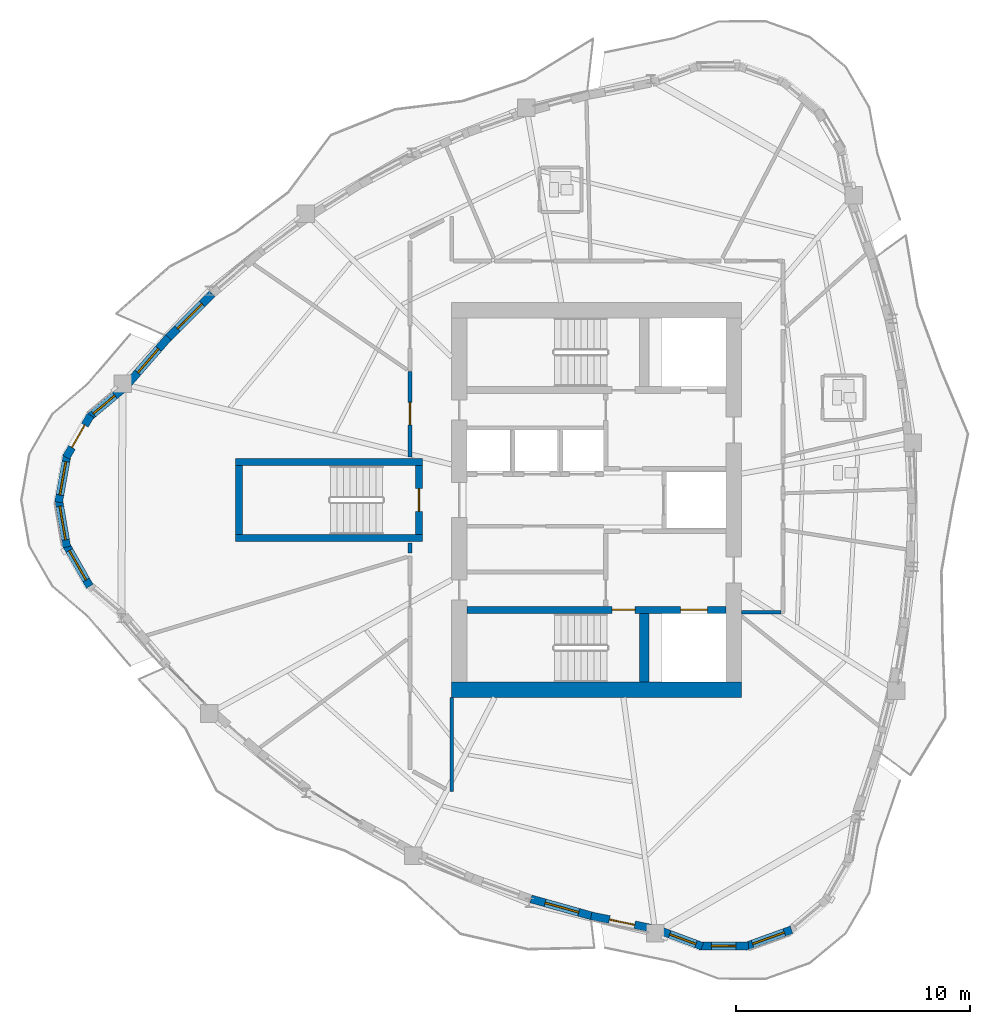
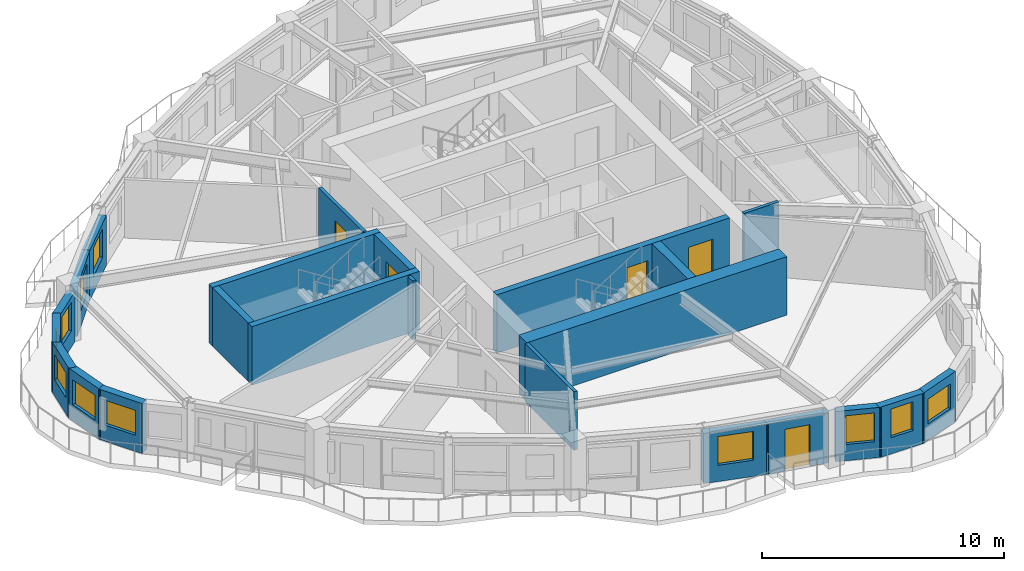
# One storey, part 5 of 13: 23 walls, 10 windows, 6 doors, 16 openings.
"""IFC4 building model written with IfcOpenShell, lengths in metres."""

import ifcopenshell
import ifcopenshell.guid

model = None  # the IFC model being written
_history = None  # IfcOwnerHistory: only IFC2X3 demands one
_inside = {}  # id of a spatial element -> (the spatial element, [elements in it])
_under = {}  # id of a project, library or spatial element -> (it, [spatial elements below it])
_declared = {}  # id of a project -> (the project, [libraries it declares])
_typed = {}  # id of a type object -> (the type object, [elements of that type])
_made_of = {}  # id of a material, layer set ... -> (it, [elements and type objects made of it])


def new_model(schema):
    """Start an empty IFC model of exactly this schema.

    Asked for "IFC4X3", IfcOpenShell would pick the latest addendum, in which some entities
    have other attributes; the version numbers below select the first issue.
    IFC2X3 requires an IfcOwnerHistory on every rooted entity: one is made here for all.
    """
    global model, _history
    if schema == "IFC4X3":
        model = ifcopenshell.file(schema_version=(4, 3, 0, 0))
    else:
        model = ifcopenshell.file(schema=schema)
    _inside.clear()
    _under.clear()
    _declared.clear()
    _typed.clear()
    _made_of.clear()
    _history = None
    if model.schema == "IFC2X3":
        org = make("IfcOrganization", Name="unknown")
        user = make(
            "IfcPersonAndOrganization",
            ThePerson=make("IfcPerson", FamilyName="unknown"),
            TheOrganization=org,
        )
        app = make(
            "IfcApplication",
            ApplicationDeveloper=org,
            Version="unknown",
            ApplicationFullName="unknown",
            ApplicationIdentifier="unknown",
        )
        _history = make(
            "IfcOwnerHistory",
            OwningUser=user,
            OwningApplication=app,
            ChangeAction="ADDED",
            CreationDate=0,
        )
    return model


def make(cls, **values):
    """One entity of the class cls with the attributes given. An attribute that is None is left unset."""
    return model.create_entity(
        cls, **{name: value for name, value in values.items() if value is not None}
    )


def rooted(cls, **values):
    """An entity with a GlobalId (a new one), such as an element, a storey or a relation."""
    return make(cls, GlobalId=ifcopenshell.guid.new(), OwnerHistory=_history, **values)


def si_unit(unit_type, name, prefix=None):
    """IfcSIUnit, for example si_unit("LENGTHUNIT", "METRE", prefix="MILLI")."""
    return make("IfcSIUnit", UnitType=unit_type, Prefix=prefix, Name=name)


def assignment(units):
    """IfcUnitAssignment: the units of a project."""
    return None if units is None else make("IfcUnitAssignment", Units=units)


def point(xyz):
    """IfcCartesianPoint."""
    return None if xyz is None else make("IfcCartesianPoint", Coordinates=xyz)


def direction(xyz):
    """IfcDirection."""
    return None if xyz is None else make("IfcDirection", DirectionRatios=xyz)


def frame(location, z_axis=None, x_axis=None):
    """IfcAxis2Placement3D, a coordinate frame: its origin and axes. An axis left out is left unset."""
    return make(
        "IfcAxis2Placement3D",
        Location=point(location),
        Axis=direction(z_axis),
        RefDirection=direction(x_axis),
    )


def frame_2d(location, x_axis=None):
    """IfcAxis2Placement2D, a coordinate frame in the plane: its origin and x axis."""
    return make(
        "IfcAxis2Placement2D", Location=point(location), RefDirection=direction(x_axis)
    )


def origin():
    """The frame at (0, 0, 0) with its axes left unset."""
    return frame((0.0, 0.0, 0.0))


def place(relative_to, where):
    """IfcLocalPlacement: puts the frame where relative to a parent placement (None: the world)."""
    return make(
        "IfcLocalPlacement", PlacementRelTo=relative_to, RelativePlacement=where
    )


def context(
    kind, dimensions, precision=None, world=None, true_north=None, identifier=None
):
    """IfcGeometricRepresentationContext, for example the 3D "Model" context."""
    return make(
        "IfcGeometricRepresentationContext",
        ContextIdentifier=identifier,
        ContextType=kind,
        CoordinateSpaceDimension=dimensions,
        Precision=precision,
        WorldCoordinateSystem=world,
        TrueNorth=true_north,
    )


def subcontext(parent, identifier, kind, view, scale=None):
    """IfcGeometricRepresentationSubContext, for example "Body" below "Model"."""
    return make(
        "IfcGeometricRepresentationSubContext",
        ContextIdentifier=identifier,
        ContextType=kind,
        ParentContext=parent,
        TargetScale=scale,
        TargetView=view,
    )


def project(units=None, contexts=None):
    """IfcProject with its units and contexts."""
    return rooted(
        "IfcProject",
        Name="project",
        RepresentationContexts=contexts,
        UnitsInContext=assignment(units),
    )


def spatial(cls, under=None, at=None, **own):
    """A site, building, storey or space (cls), placed at a placement, below another one or the project."""
    s = rooted(cls, ObjectPlacement=at, **own)
    if under is not None:
        _under.setdefault(under.id(), (under, []))[1].append(s)
    return s


def profile(cls, at=None, kind="AREA", **sizes):
    """A parametric profile (cls). Its sizes go by their IFC names, for example OverallWidth=200.0."""
    return make(cls, ProfileType=kind, Position=at, **sizes)


def rectangle(**sizes):
    """IfcRectangleProfileDef."""
    return profile("IfcRectangleProfileDef", **sizes)


def extrude(swept, where, along, depth):
    """IfcExtrudedAreaSolid: the profile swept, set in the frame where, extruded along a direction by depth."""
    return make(
        "IfcExtrudedAreaSolid",
        SweptArea=swept,
        Position=where,
        ExtrudedDirection=direction(along),
        Depth=depth,
    )


def shape(context_of_items, identifier, shape_type, items):
    """IfcShapeRepresentation: the items that make up one representation, for example the "Body"."""
    return make(
        "IfcShapeRepresentation",
        ContextOfItems=context_of_items,
        RepresentationIdentifier=identifier,
        RepresentationType=shape_type,
        Items=items,
    )


def source(mapping_origin, context_of_items, identifier, shape_type, items):
    """IfcRepresentationMap: a shape defined once, which mapped items show again and again."""
    return make(
        "IfcRepresentationMap",
        MappingOrigin=mapping_origin,
        MappedRepresentation=shape(context_of_items, identifier, shape_type, items),
    )


def transform(
    local_origin,
    x_axis=None,
    y_axis=None,
    z_axis=None,
    scale=None,
    scale2=None,
    scale3=None,
    uniform=True,
):
    """IfcCartesianTransformationOperator3D, or its non-uniform kind. x_axis, y_axis, z_axis: its Axis1, 2, 3."""
    if uniform:
        return make(
            "IfcCartesianTransformationOperator3D",
            Axis1=direction(x_axis),
            Axis2=direction(y_axis),
            LocalOrigin=point(local_origin),
            Scale=scale,
            Axis3=direction(z_axis),
        )
    return make(
        "IfcCartesianTransformationOperator3DnonUniform",
        Axis1=direction(x_axis),
        Axis2=direction(y_axis),
        LocalOrigin=point(local_origin),
        Scale=scale,
        Axis3=direction(z_axis),
        Scale2=scale2,
        Scale3=scale3,
    )


def mapped(mapping_source, mapping_target):
    """IfcMappedItem: shows the shape of a source again, moved by a transform."""
    return make(
        "IfcMappedItem", MappingSource=mapping_source, MappingTarget=mapping_target
    )


def material(Name=None, Category=None):
    """IfcMaterial."""
    return make("IfcMaterial", Name=Name, Category=Category)


def layer(
    of_material, thickness, ventilated=None, Name=None, Category=None, Priority=None
):
    """IfcMaterialLayer: one layer of a wall or slab, of a material (None: an air gap)."""
    return make(
        "IfcMaterialLayer",
        Material=of_material,
        LayerThickness=thickness,
        IsVentilated=ventilated,
        Name=Name,
        Category=Category,
        Priority=Priority,
    )


def layer_set(layers, Name=None):
    """IfcMaterialLayerSet."""
    return make("IfcMaterialLayerSet", MaterialLayers=layers, LayerSetName=Name)


def made_of(thing, what):
    """Note that an element or type object is made of a material, layer set ...; save() writes the relation."""
    if what is not None:
        _made_of.setdefault(what.id(), (what, []))[1].append(thing)
    return thing


def type_object(cls, material=None, **own):
    """A type object (cls), such as IfcWallType, which elements share."""
    return made_of(rooted(cls, **own), material)


def element(
    cls,
    number,
    at=None,
    inside=None,
    cuts=None,
    type_object=None,
    material=None,
    context=None,
    identifier="Body",
    shape_type=None,
    held_by="IfcProductDefinitionShape",
    body=None,
    shapes=None,
    **own,
):
    """One element of the class cls, such as IfcWall. Its Tag is "e" and its number.

    at: its placement. inside: the storey or other place that contains it. cuts: it is an
    opening in that element (IfcRelVoidsElement). A single representation is given by context,
    identifier, shape_type and body (its items); several are given by shapes. held_by: the class
    of the entity that holds the representations. save() writes the other relations.
    """
    e = rooted(cls, Tag="e%d" % number, ObjectPlacement=at, **own)
    if body is not None:
        shapes = [shape(context, identifier, shape_type, body)]
    if shapes is not None:
        e.Representation = make(held_by, Representations=shapes)
    if inside is not None:
        _inside.setdefault(inside.id(), (inside, []))[1].append(e)
    if cuts is not None:
        rooted(
            "IfcRelVoidsElement", RelatingBuildingElement=cuts, RelatedOpeningElement=e
        )
    if type_object is not None:
        _typed.setdefault(type_object.id(), (type_object, []))[1].append(e)
    return made_of(e, material)


def fill(opening, filler):
    """IfcRelFillsElement: the door or window that sits in an opening."""
    return rooted(
        "IfcRelFillsElement",
        RelatingOpeningElement=opening,
        RelatedBuildingElement=filler,
    )


def aggregate(whole, parts):
    """IfcRelAggregates: a whole, such as a stair, and the parts it consists of."""
    return rooted("IfcRelAggregates", RelatingObject=whole, RelatedObjects=parts)


def save(model, path):
    """Write the relations noted so far, then the file.

    IfcRelAggregates (storeys below a building ...), IfcRelContainedInSpatialStructure (elements
    in a storey), IfcRelDefinesByType, IfcRelAssociatesMaterial and IfcRelDeclares: one each for
    every whole, place, type object, material and project.
    """
    for whole, parts in _under.values():
        aggregate(whole, parts)
    for where, things in _inside.values():
        rooted(
            "IfcRelContainedInSpatialStructure",
            RelatedElements=things,
            RelatingStructure=where,
        )
    for kind, things in _typed.values():
        rooted("IfcRelDefinesByType", RelatedObjects=things, RelatingType=kind)
    for what, things in _made_of.values():
        rooted("IfcRelAssociatesMaterial", RelatedObjects=things, RelatingMaterial=what)
    for by, libraries in _declared.values():
        rooted("IfcRelDeclares", RelatingContext=by, RelatedDefinitions=libraries)
    model.write(path)


model = new_model("IFC4")

# Units and contexts
model_context = context("Model", 3, precision=1e-05, world=origin(), true_north=direction((0.0, 1.0)))
body_context = subcontext(model_context, "Body", "Model", "MODEL_VIEW")
ifc_project = project(units=[si_unit("LENGTHUNIT", "METRE"), si_unit("AREAUNIT", "SQUARE_METRE"), si_unit("VOLUMEUNIT", "CUBIC_METRE"), si_unit("PLANEANGLEUNIT", "RADIAN"), si_unit("MASSUNIT", "GRAM", prefix="KILO")], contexts=[model_context])

# Site, building, storey
site_placement = place(None, origin())
site = spatial("IfcSite", under=ifc_project, at=site_placement, CompositionType="ELEMENT")
building_placement = place(site_placement, origin())
building = spatial("IfcBuilding", under=site, at=building_placement, Name="Qafzar Sky-Pleat Residences", CompositionType="ELEMENT")
storey_placement = place(building_placement, frame((0.0, 0.0, 133.0)))
storey = spatial("IfcBuildingStorey", under=building, at=storey_placement, Name="L39", CompositionType="ELEMENT", Elevation=133.0)

# Wall, opening, door
ifc_material_1 = material(Name="Acoustic gypsum plasterboard partition", Category="gypsum")
ifc_layer_1 = layer(ifc_material_1, 0.159912109375)
ifc_layer_set_1 = layer_set([ifc_layer_1], Name="Acoustic gypsum plasterboard partition")
wall_type_1 = type_object("IfcWallType", Name="PART-COR-160", PredefinedType="PARTITIONING", material=ifc_layer_set_1)
wall_1_placement = place(storey_placement, frame((22.3701171875, 27.85009765625, 0.0), z_axis=(0.0, 0.0, 1.0), x_axis=(0.0, 1.0, 0.0)))
wall_1 = element("IfcWall", 1, at=wall_1_placement, inside=storey, type_object=wall_type_1, Name="L39 Partition Wall PART-L39-PW-005", PredefinedType="PARTITIONING", context=body_context, shape_type="SweptSolid", body=[
    extrude(rectangle(XDim=3.657958984375, YDim=0.159912109375, at=frame_2d((1.8291015625, 0.0))), origin(), (0.0, 0.0, 1.0), 2.949951171875),
])
opening_1_placement = place(wall_1_placement, frame((1.368896484375, 0.0, 0.0)))
opening_1 = element("IfcOpeningElement", 2, at=opening_1_placement, cuts=wall_1, Name="Opening ID-06", PredefinedType="OPENING", context=body_context, shape_type="SweptSolid", body=[
    extrude(rectangle(XDim=0.9599609375, YDim=2.10009765625, at=frame_2d((0.47998046875, 1.050048828125))), frame((0.0, 0.08984375, 0.0), z_axis=(0.0, -1.0, 0.0), x_axis=(1.0, 0.0, 0.0)), (0.0, 0.0, 1.0), 0.179931640625),
])
ifc_material_2 = material(Name="Timber-faced fire door", Category="wood")
door_type_1 = type_object("IfcDoorType", Name="DR-STD-960", OperationType="NOTDEFINED", PredefinedType="DOOR", material=ifc_material_2)
shared_shape_1 = source(origin(), body_context, "Body", "SweptSolid", [
    extrude(rectangle(XDim=0.9599609375, YDim=2.10009765625, at=frame_2d((0.47998046875, 1.050048828125))), frame((0.0, 0.02490234375, 0.0), z_axis=(0.0, -1.0, 0.0), x_axis=(1.0, 0.0, 0.0)), (0.0, 0.0, 1.0), 0.050048828125),
])
door_1_placement = place(opening_1_placement, origin())
door_1 = element("IfcDoor", 3, at=door_1_placement, inside=storey, type_object=door_type_1, Name="L39 Faculty Research Office Door", OperationType="SINGLE_SWING_LEFT", OverallHeight=2.10009765625, OverallWidth=0.9599609375, PredefinedType="DOOR", context=body_context, shape_type="MappedRepresentation", body=[
    mapped(shared_shape_1, transform((0.0, 0.0, 0.0), x_axis=(1.0, 0.0, 0.0), y_axis=(0.0, 1.0, 0.0), z_axis=(0.0, 0.0, 1.0), scale=1.0)),
])
fill(opening_1, door_1)

# Walls
wall_2_placement = place(storey_placement, frame((24.14990234375, 13.51611328125, 0.0), z_axis=(0.0, 0.0, 1.0), x_axis=(0.0, 1.0, 0.0)))
element("IfcWall", 4, at=wall_2_placement, inside=storey, type_object=wall_type_1, Name="L39 Partition Wall PART-L39-PW-025", PredefinedType="PARTITIONING", context=body_context, shape_type="SweptSolid", body=[
    extrude(rectangle(XDim=4.02587890625, YDim=0.159912109375, at=frame_2d((2.012939453125, 0.0))), origin(), (0.0, 0.0, 1.0), 2.949951171875),
])
wall_3_placement = place(storey_placement, frame((36.55810546875, 21.199951171875, 0.0), z_axis=(0.0, 0.0, 1.0), x_axis=(1.0, 0.0, 0.0)))
element("IfcWall", 5, at=wall_3_placement, inside=storey, type_object=wall_type_1, Name="L39 Partition Wall PART-L39-PW-034", PredefinedType="PARTITIONING", context=body_context, shape_type="SweptSolid", body=[
    extrude(rectangle(XDim=1.683837890625, YDim=0.159912109375, at=frame_2d((0.841796875, 0.0))), origin(), (0.0, 0.0, 1.0), 2.949951171875),
])
wall_4_placement = place(storey_placement, frame((22.3701171875, 23.73583984375, 0.0), z_axis=(0.0, 0.0, 1.0), x_axis=(0.0, 1.0, 0.0)))
element("IfcWall", 6, at=wall_4_placement, inside=storey, type_object=wall_type_1, Name="L39 Partition Wall PART-L39-PW-042", PredefinedType="PARTITIONING", context=body_context, shape_type="SweptSolid", body=[
    extrude(rectangle(XDim=0.4140625, YDim=0.159912109375, at=frame_2d((0.20703125, 0.0))), origin(), (0.0, 0.0, 1.0), 2.949951171875),
])

# Wall, opening, window
ifc_material_3 = material(Name="Precast concrete C40/50 with honed Riyadh limestone", Category="concrete")
ifc_layer_2 = layer(ifc_material_3, 0.340087890625)
ifc_layer_set_2 = layer_set([ifc_layer_2], Name="Precast concrete C40/50 with honed Riyadh limestone")
wall_type_2 = type_object("IfcWallType", Name="WALL-EXT-340", PredefinedType="SOLIDWALL", material=ifc_layer_set_2)
wall_5_placement = place(storey_placement, frame((10.054443359375, 30.73779296875, 0.0), z_axis=(0.0, 0.0, 1.0), x_axis=(-0.76655488318, -0.642178799925, 0.0)))
wall_5 = element("IfcWall", 7, at=wall_5_placement, inside=storey, type_object=wall_type_2, Name="L39 Limestone Facade Wall 1", PredefinedType="SOLIDWALL", context=body_context, shape_type="SweptSolid", body=[
    extrude(rectangle(XDim=1.888427734375, YDim=0.340087890625, at=frame_2d((0.9443359375, 0.0))), origin(), (0.0, 0.0, 1.0), 2.530029296875),
])
opening_2_placement = place(wall_5_placement, frame((0.419189453125, 0.0, 0.820068359375)))
opening_2 = element("IfcOpeningElement", 8, at=opening_2_placement, cuts=wall_5, Name="Opening WN-05", PredefinedType="OPENING", context=body_context, shape_type="SweptSolid", body=[
    extrude(rectangle(XDim=1.199951171875, YDim=1.449951171875, at=frame_2d((0.60009765625, 0.72509765625))), frame((0.0, 0.18017578125, 0.0), z_axis=(0.0, -1.0, 0.0), x_axis=(1.0, 0.0, 0.0)), (0.0, 0.0, 1.0), 0.360107421875),
])
ifc_material_4 = material(Name="Solar-control low-E glass in bronze aluminium frame", Category="glass")
window_type_1 = type_object("IfcWindowType", Name="WIN-05", PartitioningType="SINGLE_PANEL", PredefinedType="WINDOW", material=ifc_material_4)
shared_shape_2 = source(origin(), body_context, "Body", "SweptSolid", [
    extrude(rectangle(XDim=1.199951171875, YDim=1.449951171875, at=frame_2d((0.60009765625, 0.72509765625))), frame((0.0, 0.030029296875, 0.0), z_axis=(0.0, -1.0, 0.0), x_axis=(1.0, 0.0, 0.0)), (0.0, 0.0, 1.0), 0.06005859375),
])
window_1_placement = place(opening_2_placement, origin())
window_1 = element("IfcWindow", 9, at=window_1_placement, inside=storey, type_object=window_type_1, Name="L39 Punched Facade Window 01", OverallHeight=1.449951171875, OverallWidth=1.199951171875, PartitioningType="SINGLE_PANEL", PredefinedType="WINDOW", context=body_context, shape_type="MappedRepresentation", body=[
    mapped(shared_shape_2, transform((0.0, 0.0, 0.0), x_axis=(1.0, 0.0, 0.0), y_axis=(0.0, 1.0, 0.0), z_axis=(0.0, 0.0, 1.0), scale=1.0)),
])
fill(opening_2, window_1)

# Wall, opening, door
wall_6_placement = place(storey_placement, frame((8.693115234375, 29.62744140625, 0.0), z_axis=(0.0, 0.0, 1.0), x_axis=(-0.502090235641, -0.864815237651, 0.0)))
wall_6 = element("IfcWall", 10, at=wall_6_placement, inside=storey, type_object=wall_type_2, Name="L39 Limestone Facade Wall 2", PredefinedType="SOLIDWALL", context=body_context, shape_type="SweptSolid", body=[
    extrude(rectangle(XDim=2.0810546875, YDim=0.340087890625, at=frame_2d((1.04052734375, 0.0))), origin(), (0.0, 0.0, 1.0), 2.530029296875),
])
opening_3_placement = place(wall_6_placement, frame((0.490478515625, 0.0, 0.0)))
opening_3 = element("IfcOpeningElement", 11, at=opening_3_placement, cuts=wall_6, Name="Opening ED-06", PredefinedType="OPENING", context=body_context, shape_type="SweptSolid", body=[
    extrude(rectangle(XDim=1.10009765625, YDim=2.10009765625, at=frame_2d((0.550048828125, 1.050048828125))), frame((0.0, 0.18017578125, 0.0), z_axis=(0.0, -1.0, 0.0), x_axis=(1.0, 0.0, 0.0)), (0.0, 0.0, 1.0), 0.360107421875),
])
ifc_material_5 = material(Name="Glazed bronze aluminium door", Category="aluminium")
door_type_2 = type_object("IfcDoorType", Name="DR-BAL-1100", OperationType="NOTDEFINED", PredefinedType="DOOR", material=ifc_material_5)
shared_shape_3 = source(origin(), body_context, "Body", "SweptSolid", [
    extrude(rectangle(XDim=1.10009765625, YDim=2.10009765625, at=frame_2d((0.550048828125, 1.050048828125))), frame((0.0, 0.02490234375, 0.0), z_axis=(0.0, -1.0, 0.0), x_axis=(1.0, 0.0, 0.0)), (0.0, 0.0, 1.0), 0.050048828125),
])
door_2_placement = place(opening_3_placement, origin())
door_2 = element("IfcDoor", 12, at=door_2_placement, inside=storey, type_object=door_type_2, Name="L39 Terrace Glazed Door 1", OperationType="SINGLE_SWING_RIGHT", OverallHeight=2.10009765625, OverallWidth=1.10009765625, PredefinedType="DOOR", context=body_context, shape_type="MappedRepresentation", body=[
    mapped(shared_shape_3, transform((0.0, 0.0, 0.0), x_axis=(1.0, 0.0, 0.0), y_axis=(0.0, 1.0, 0.0), z_axis=(0.0, 0.0, 1.0), scale=1.0)),
])
fill(opening_3, door_2)

# Wall, opening, window
wall_7_placement = place(storey_placement, frame((7.6943359375, 27.952880859375, 0.0), z_axis=(0.0, 0.0, 1.0), x_axis=(-0.177605215389, -0.984101817632, 0.0)))
wall_7 = element("IfcWall", 13, at=wall_7_placement, inside=storey, type_object=wall_type_2, Name="L39 Limestone Facade Wall 3", PredefinedType="SOLIDWALL", context=body_context, shape_type="SweptSolid", body=[
    extrude(rectangle(XDim=2.081298828125, YDim=0.340087890625, at=frame_2d((1.04052734375, 0.0))), origin(), (0.0, 0.0, 1.0), 2.530029296875),
])
opening_4_placement = place(wall_7_placement, frame((0.315673828125, 0.0, 0.820068359375)))
opening_4 = element("IfcOpeningElement", 14, at=opening_4_placement, cuts=wall_7, Name="Opening WN-15", PredefinedType="OPENING", context=body_context, shape_type="SweptSolid", body=[
    extrude(rectangle(XDim=1.449951171875, YDim=1.25, at=frame_2d((0.72509765625, 0.625))), frame((0.0, 0.18017578125, 0.0), z_axis=(0.0, -1.0, 0.0), x_axis=(1.0, 0.0, 0.0)), (0.0, 0.0, 1.0), 0.360107421875),
])
window_type_2 = type_object("IfcWindowType", Name="WIN-15", PartitioningType="SINGLE_PANEL", PredefinedType="WINDOW", material=ifc_material_4)
shared_shape_4 = source(origin(), body_context, "Body", "SweptSolid", [
    extrude(rectangle(XDim=1.449951171875, YDim=1.25, at=frame_2d((0.72509765625, 0.625))), frame((0.0, 0.030029296875, 0.0), z_axis=(0.0, -1.0, 0.0), x_axis=(1.0, 0.0, 0.0)), (0.0, 0.0, 1.0), 0.06005859375),
])
window_2_placement = place(opening_4_placement, origin())
window_2 = element("IfcWindow", 15, at=window_2_placement, inside=storey, type_object=window_type_2, Name="L39 Punched Facade Window 03", OverallHeight=1.25, OverallWidth=1.449951171875, PartitioningType="SINGLE_PANEL", PredefinedType="WINDOW", context=body_context, shape_type="MappedRepresentation", body=[
    mapped(shared_shape_4, transform((0.0, 0.0, 0.0), x_axis=(1.0, 0.0, 0.0), y_axis=(0.0, 1.0, 0.0), z_axis=(0.0, 0.0, 1.0), scale=1.0)),
])
fill(opening_4, window_2)

wall_8_placement = place(storey_placement, frame((7.325439453125, 26.03857421875, 0.0), z_axis=(0.0, 0.0, 1.0), x_axis=(0.168107405166, -0.985768685001, 0.0)))
wall_8 = element("IfcWall", 16, at=wall_8_placement, inside=storey, type_object=wall_type_2, Name="L39 Limestone Facade Wall 4", PredefinedType="SOLIDWALL", context=body_context, shape_type="SweptSolid", body=[
    extrude(rectangle(XDim=2.0810546875, YDim=0.340087890625, at=frame_2d((1.04052734375, 0.0))), origin(), (0.0, 0.0, 1.0), 2.530029296875),
])
opening_5_placement = place(wall_8_placement, frame((0.315673828125, 0.0, 0.820068359375)))
opening_5 = element("IfcOpeningElement", 17, at=opening_5_placement, cuts=wall_8, Name="Opening WN-15", PredefinedType="OPENING", context=body_context, shape_type="SweptSolid", body=[
    extrude(rectangle(XDim=1.449951171875, YDim=1.25, at=frame_2d((0.72509765625, 0.625))), frame((0.0, 0.18017578125, 0.0), z_axis=(0.0, -1.0, 0.0), x_axis=(1.0, 0.0, 0.0)), (0.0, 0.0, 1.0), 0.360107421875),
])
window_3_placement = place(opening_5_placement, origin())
window_3 = element("IfcWindow", 18, at=window_3_placement, inside=storey, type_object=window_type_2, Name="L39 Punched Facade Window 04", OverallHeight=1.25, OverallWidth=1.449951171875, PartitioningType="SINGLE_PANEL", PredefinedType="WINDOW", context=body_context, shape_type="MappedRepresentation", body=[
    mapped(shared_shape_4, transform((0.0, 0.0, 0.0), x_axis=(1.0, 0.0, 0.0), y_axis=(0.0, 1.0, 0.0), z_axis=(0.0, 0.0, 1.0), scale=1.0)),
])
fill(opening_5, window_3)

wall_9_placement = place(storey_placement, frame((7.63037109375, 24.11279296875, 0.0), z_axis=(0.0, 0.0, 1.0), x_axis=(0.49374939324, -0.869604241408, 0.0)))
wall_9 = element("IfcWall", 19, at=wall_9_placement, inside=storey, type_object=wall_type_2, Name="L39 Limestone Facade Wall 5", PredefinedType="SOLIDWALL", context=body_context, shape_type="SweptSolid", body=[
    extrude(rectangle(XDim=2.081298828125, YDim=0.340087890625, at=frame_2d((1.04052734375, 0.0))), origin(), (0.0, 0.0, 1.0), 2.530029296875),
])
opening_6_placement = place(wall_9_placement, frame((0.315673828125, 0.0, 0.820068359375)))
opening_6 = element("IfcOpeningElement", 20, at=opening_6_placement, cuts=wall_9, Name="Opening WN-15", PredefinedType="OPENING", context=body_context, shape_type="SweptSolid", body=[
    extrude(rectangle(XDim=1.449951171875, YDim=1.25, at=frame_2d((0.72509765625, 0.625))), frame((0.0, 0.18017578125, 0.0), z_axis=(0.0, -1.0, 0.0), x_axis=(1.0, 0.0, 0.0)), (0.0, 0.0, 1.0), 0.360107421875),
])
window_4_placement = place(opening_6_placement, origin())
window_4 = element("IfcWindow", 21, at=window_4_placement, inside=storey, type_object=window_type_2, Name="L39 Punched Facade Window 05", OverallHeight=1.25, OverallWidth=1.449951171875, PartitioningType="SINGLE_PANEL", PredefinedType="WINDOW", context=body_context, shape_type="MappedRepresentation", body=[
    mapped(shared_shape_4, transform((0.0, 0.0, 0.0), x_axis=(1.0, 0.0, 0.0), y_axis=(0.0, 1.0, 0.0), z_axis=(0.0, 0.0, 1.0), scale=1.0)),
])
fill(opening_6, window_4)

wall_10_placement = place(storey_placement, frame((27.54638671875, 8.925048828125, 0.0), z_axis=(0.0, 0.0, 1.0), x_axis=(0.962897957222, -0.269865751767, 0.0)))
wall_10 = element("IfcWall", 22, at=wall_10_placement, inside=storey, type_object=wall_type_2, Name="L39 Limestone Facade Wall 15", PredefinedType="SOLIDWALL", context=body_context, shape_type="SweptSolid", body=[
    extrude(rectangle(XDim=2.7646484375, YDim=0.340087890625, at=frame_2d((1.38232421875, 0.0))), origin(), (0.0, 0.0, 1.0), 2.530029296875),
])
opening_7_placement = place(wall_10_placement, frame((0.622314453125, 0.0, 0.820068359375)))
opening_7 = element("IfcOpeningElement", 23, at=opening_7_placement, cuts=wall_10, Name="Opening WN-03", PredefinedType="OPENING", context=body_context, shape_type="SweptSolid", body=[
    extrude(rectangle(XDim=1.5, YDim=1.449951171875, at=frame_2d((0.75, 0.72509765625))), frame((0.0, 0.18017578125, 0.0), z_axis=(0.0, -1.0, 0.0), x_axis=(1.0, 0.0, 0.0)), (0.0, 0.0, 1.0), 0.360107421875),
])
window_type_3 = type_object("IfcWindowType", Name="WIN-03", PartitioningType="DOUBLE_PANEL_VERTICAL", PredefinedType="WINDOW", material=ifc_material_4)
shared_shape_5 = source(origin(), body_context, "Body", "SweptSolid", [
    extrude(rectangle(XDim=1.5, YDim=1.449951171875, at=frame_2d((0.75, 0.72509765625))), frame((0.0, 0.030029296875, 0.0), z_axis=(0.0, -1.0, 0.0), x_axis=(1.0, 0.0, 0.0)), (0.0, 0.0, 1.0), 0.06005859375),
])
window_5_placement = place(opening_7_placement, origin())
window_5 = element("IfcWindow", 24, at=window_5_placement, inside=storey, type_object=window_type_3, Name="L39 Punched Facade Window 15", OverallHeight=1.449951171875, OverallWidth=1.5, PartitioningType="SINGLE_PANEL", PredefinedType="WINDOW", context=body_context, shape_type="MappedRepresentation", body=[
    mapped(shared_shape_5, transform((0.0, 0.0, 0.0), x_axis=(1.0, 0.0, 0.0), y_axis=(0.0, 1.0, 0.0), z_axis=(0.0, 0.0, 1.0), scale=1.0)),
])
fill(opening_7, window_5)

# Wall, opening, door
wall_11_placement = place(storey_placement, frame((30.123291015625, 8.19970703125, 0.0), z_axis=(0.0, 0.0, 1.0), x_axis=(0.979331814777, -0.20226021993, 0.0)))
wall_11 = element("IfcWall", 25, at=wall_11_placement, inside=storey, type_object=wall_type_2, Name="L39 Limestone Facade Wall 16", PredefinedType="SOLIDWALL", context=body_context, shape_type="SweptSolid", body=[
    extrude(rectangle(XDim=2.688232421875, YDim=0.340087890625, at=frame_2d((1.34423828125, 0.0))), origin(), (0.0, 0.0, 1.0), 2.530029296875),
])
opening_8_placement = place(wall_11_placement, frame((0.799072265625, 0.0, 0.0)))
opening_8 = element("IfcOpeningElement", 26, at=opening_8_placement, cuts=wall_11, Name="Opening ED-06", PredefinedType="OPENING", context=body_context, shape_type="SweptSolid", body=[
    extrude(rectangle(XDim=1.10009765625, YDim=2.10009765625, at=frame_2d((0.550048828125, 1.050048828125))), frame((0.0, 0.18017578125, 0.0), z_axis=(0.0, -1.0, 0.0), x_axis=(1.0, 0.0, 0.0)), (0.0, 0.0, 1.0), 0.360107421875),
])
door_3_placement = place(opening_8_placement, origin())
door_3 = element("IfcDoor", 27, at=door_3_placement, inside=storey, type_object=door_type_2, Name="L39 Terrace Glazed Door 3", OperationType="SINGLE_SWING_RIGHT", OverallHeight=2.10009765625, OverallWidth=1.10009765625, PredefinedType="DOOR", context=body_context, shape_type="MappedRepresentation", body=[
    mapped(shared_shape_3, transform((0.0, 0.0, 0.0), x_axis=(1.0, 0.0, 0.0), y_axis=(0.0, 1.0, 0.0), z_axis=(0.0, 0.0, 1.0), scale=1.0)),
])
fill(opening_8, door_3)

# Wall, opening, window
wall_12_placement = place(storey_placement, frame((33.077880859375, 7.563232421875, 0.0), z_axis=(0.0, 0.0, 1.0), x_axis=(0.936940595305, -0.349488656282, 0.0)))
wall_12 = element("IfcWall", 28, at=wall_12_placement, inside=storey, type_object=wall_type_2, Name="L39 Limestone Facade Wall 17", PredefinedType="SOLIDWALL", context=body_context, shape_type="SweptSolid", body=[
    extrude(rectangle(XDim=1.91552734375, YDim=0.340087890625, at=frame_2d((0.957763671875, 0.0))), origin(), (0.0, 0.0, 1.0), 2.530029296875),
])
opening_9_placement = place(wall_12_placement, frame((0.432861328125, 0.0, 0.820068359375)))
opening_9 = element("IfcOpeningElement", 29, at=opening_9_placement, cuts=wall_12, Name="Opening WN-05", PredefinedType="OPENING", context=body_context, shape_type="SweptSolid", body=[
    extrude(rectangle(XDim=1.199951171875, YDim=1.449951171875, at=frame_2d((0.60009765625, 0.72509765625))), frame((0.0, 0.18017578125, 0.0), z_axis=(0.0, -1.0, 0.0), x_axis=(1.0, 0.0, 0.0)), (0.0, 0.0, 1.0), 0.360107421875),
])
window_6_placement = place(opening_9_placement, origin())
window_6 = element("IfcWindow", 30, at=window_6_placement, inside=storey, type_object=window_type_1, Name="L39 Punched Facade Window 17", OverallHeight=1.449951171875, OverallWidth=1.199951171875, PartitioningType="SINGLE_PANEL", PredefinedType="WINDOW", context=body_context, shape_type="MappedRepresentation", body=[
    mapped(shared_shape_2, transform((0.0, 0.0, 0.0), x_axis=(1.0, 0.0, 0.0), y_axis=(0.0, 1.0, 0.0), z_axis=(0.0, 0.0, 1.0), scale=1.0)),
])
fill(opening_9, window_6)

wall_13_placement = place(storey_placement, frame((34.740478515625, 6.91796875, 0.0), z_axis=(0.0, 0.0, 1.0), x_axis=(0.9999881768, -0.004862742089, 0.0)))
wall_13 = element("IfcWall", 31, at=wall_13_placement, inside=storey, type_object=wall_type_2, Name="L39 Limestone Facade Wall 18", PredefinedType="SOLIDWALL", context=body_context, shape_type="SweptSolid", body=[
    extrude(rectangle(XDim=2.108642578125, YDim=0.340087890625, at=frame_2d((1.05419921875, 0.0))), origin(), (0.0, 0.0, 1.0), 2.530029296875),
])
opening_10_placement = place(wall_13_placement, frame((0.529296875, 0.0, 0.820068359375)))
opening_10 = element("IfcOpeningElement", 32, at=opening_10_placement, cuts=wall_13, Name="Opening WN-06", PredefinedType="OPENING", context=body_context, shape_type="SweptSolid", body=[
    extrude(rectangle(XDim=1.050048828125, YDim=1.449951171875, at=frame_2d((0.52490234375, 0.72509765625))), frame((0.0, 0.18017578125, 0.0), z_axis=(0.0, -1.0, 0.0), x_axis=(1.0, 0.0, 0.0)), (0.0, 0.0, 1.0), 0.360107421875),
])
window_type_4 = type_object("IfcWindowType", Name="WIN-06", PartitioningType="SINGLE_PANEL", PredefinedType="WINDOW", material=ifc_material_4)
shared_shape_6 = source(origin(), body_context, "Body", "SweptSolid", [
    extrude(rectangle(XDim=1.050048828125, YDim=1.449951171875, at=frame_2d((0.52490234375, 0.72509765625))), frame((0.0, 0.030029296875, 0.0), z_axis=(0.0, -1.0, 0.0), x_axis=(1.0, 0.0, 0.0)), (0.0, 0.0, 1.0), 0.06005859375),
])
window_7_placement = place(opening_10_placement, origin())
window_7 = element("IfcWindow", 33, at=window_7_placement, inside=storey, type_object=window_type_4, Name="L39 Punched Facade Window 18", OverallHeight=1.449951171875, OverallWidth=1.050048828125, PartitioningType="SINGLE_PANEL", PredefinedType="WINDOW", context=body_context, shape_type="MappedRepresentation", body=[
    mapped(shared_shape_6, transform((0.0, 0.0, 0.0), x_axis=(1.0, 0.0, 0.0), y_axis=(0.0, 1.0, 0.0), z_axis=(0.0, 0.0, 1.0), scale=1.0)),
])
fill(opening_10, window_7)

wall_14_placement = place(storey_placement, frame((36.716552734375, 6.884765625, 0.0), z_axis=(0.0, 0.0, 1.0), x_axis=(0.940242205015, 0.340506381597, 0.0)))
wall_14 = element("IfcWall", 34, at=wall_14_placement, inside=storey, type_object=wall_type_2, Name="L39 Limestone Facade Wall 19", PredefinedType="SOLIDWALL", context=body_context, shape_type="SweptSolid", body=[
    extrude(rectangle(XDim=2.108642578125, YDim=0.340087890625, at=frame_2d((1.05419921875, 0.0))), origin(), (0.0, 0.0, 1.0), 2.530029296875),
])
opening_11_placement = place(wall_14_placement, frame((0.329345703125, 0.0, 0.820068359375)))
opening_11 = element("IfcOpeningElement", 35, at=opening_11_placement, cuts=wall_14, Name="Opening WN-15", PredefinedType="OPENING", context=body_context, shape_type="SweptSolid", body=[
    extrude(rectangle(XDim=1.449951171875, YDim=1.25, at=frame_2d((0.72509765625, 0.625))), frame((0.0, 0.18017578125, 0.0), z_axis=(0.0, -1.0, 0.0), x_axis=(1.0, 0.0, 0.0)), (0.0, 0.0, 1.0), 0.360107421875),
])
window_8_placement = place(opening_11_placement, origin())
window_8 = element("IfcWindow", 36, at=window_8_placement, inside=storey, type_object=window_type_2, Name="L39 Punched Facade Window 19", OverallHeight=1.25, OverallWidth=1.449951171875, PartitioningType="SINGLE_PANEL", PredefinedType="WINDOW", context=body_context, shape_type="MappedRepresentation", body=[
    mapped(shared_shape_4, transform((0.0, 0.0, 0.0), x_axis=(1.0, 0.0, 0.0), y_axis=(0.0, 1.0, 0.0), z_axis=(0.0, 0.0, 1.0), scale=1.0)),
])
fill(opening_11, window_8)

wall_15_placement = place(storey_placement, frame((13.89697265625, 34.817138671875, 0.0), z_axis=(0.0, 0.0, 1.0), x_axis=(-0.708362899886, -0.705848427118, 0.0)))
wall_15 = element("IfcWall", 37, at=wall_15_placement, inside=storey, type_object=wall_type_2, Name="L39 Limestone Facade Wall 47", PredefinedType="SOLIDWALL", context=body_context, shape_type="SweptSolid", body=[
    extrude(rectangle(XDim=2.71875, YDim=0.340087890625, at=frame_2d((1.359375, 0.0))), origin(), (0.0, 0.0, 1.0), 2.530029296875),
])
opening_12_placement = place(wall_15_placement, frame((0.599365234375, 0.0, 0.820068359375)))
opening_12 = element("IfcOpeningElement", 38, at=opening_12_placement, cuts=wall_15, Name="Opening WN-03", PredefinedType="OPENING", context=body_context, shape_type="SweptSolid", body=[
    extrude(rectangle(XDim=1.5, YDim=1.449951171875, at=frame_2d((0.75, 0.72509765625))), frame((0.0, 0.18017578125, 0.0), z_axis=(0.0, -1.0, 0.0), x_axis=(1.0, 0.0, 0.0)), (0.0, 0.0, 1.0), 0.360107421875),
])
window_9_placement = place(opening_12_placement, origin())
window_9 = element("IfcWindow", 39, at=window_9_placement, inside=storey, type_object=window_type_3, Name="L39 Punched Facade Window 47", OverallHeight=1.449951171875, OverallWidth=1.5, PartitioningType="SINGLE_PANEL", PredefinedType="WINDOW", context=body_context, shape_type="MappedRepresentation", body=[
    mapped(shared_shape_5, transform((0.0, 0.0, 0.0), x_axis=(1.0, 0.0, 0.0), y_axis=(0.0, 1.0, 0.0), z_axis=(0.0, 0.0, 1.0), scale=1.0)),
])
fill(opening_12, window_9)

wall_16_placement = place(storey_placement, frame((12.031005859375, 32.96240234375, 0.0), z_axis=(0.0, 0.0, 1.0), x_axis=(-0.65760102664, -0.753366371537, 0.0)))
wall_16 = element("IfcWall", 40, at=wall_16_placement, inside=storey, type_object=wall_type_2, Name="L39 Limestone Facade Wall 48", PredefinedType="SOLIDWALL", context=body_context, shape_type="SweptSolid", body=[
    extrude(rectangle(XDim=2.64111328125, YDim=0.340087890625, at=frame_2d((1.320556640625, 0.0))), origin(), (0.0, 0.0, 1.0), 2.530029296875),
])
opening_13_placement = place(wall_16_placement, frame((0.650634765625, 0.0, 0.820068359375)))
opening_13 = element("IfcOpeningElement", 41, at=opening_13_placement, cuts=wall_16, Name="Opening WN-04", PredefinedType="OPENING", context=body_context, shape_type="SweptSolid", body=[
    extrude(rectangle(XDim=1.35009765625, YDim=1.449951171875, at=frame_2d((0.675048828125, 0.72509765625))), frame((0.0, 0.18017578125, 0.0), z_axis=(0.0, -1.0, 0.0), x_axis=(1.0, 0.0, 0.0)), (0.0, 0.0, 1.0), 0.360107421875),
])
window_type_5 = type_object("IfcWindowType", Name="WIN-04", PartitioningType="SINGLE_PANEL", PredefinedType="WINDOW", material=ifc_material_4)
shared_shape_7 = source(origin(), body_context, "Body", "SweptSolid", [
    extrude(rectangle(XDim=1.35009765625, YDim=1.449951171875, at=frame_2d((0.675048828125, 0.72509765625))), frame((0.0, 0.030029296875, 0.0), z_axis=(0.0, -1.0, 0.0), x_axis=(1.0, 0.0, 0.0)), (0.0, 0.0, 1.0), 0.06005859375),
])
window_10_placement = place(opening_13_placement, origin())
window_10 = element("IfcWindow", 42, at=window_10_placement, inside=storey, type_object=window_type_5, Name="L39 Punched Facade Window 48", OverallHeight=1.449951171875, OverallWidth=1.35009765625, PartitioningType="SINGLE_PANEL", PredefinedType="WINDOW", context=body_context, shape_type="MappedRepresentation", body=[
    mapped(shared_shape_7, transform((0.0, 0.0, 0.0), x_axis=(1.0, 0.0, 0.0), y_axis=(0.0, 1.0, 0.0), z_axis=(0.0, 0.0, 1.0), scale=1.0)),
])
fill(opening_13, window_10)

# Wall, openings, doors
ifc_material_6 = material(Name="Concrete C60/75", Category="concrete")
ifc_layer_3 = layer(ifc_material_6, 0.300048828125)
ifc_layer_set_3 = layer_set([ifc_layer_3], Name="Concrete C60/75")
wall_type_3 = type_object("IfcWallType", Name="WALL-SHEAR-300", PredefinedType="SHEAR", material=ifc_layer_set_3)
wall_17_placement = place(storey_placement, frame((24.800048828125, 21.300048828125, 0.0), z_axis=(0.0, 0.0, 1.0), x_axis=(1.0, 0.0, 0.0)))
wall_17 = element("IfcWall", 43, at=wall_17_placement, inside=storey, type_object=wall_type_3, Name="L39 Stair ST1 and FF1 Shaft North Wall", PredefinedType="SHEAR", context=body_context, shape_type="SweptSolid", body=[
    extrude(rectangle(XDim=11.099853515625, YDim=0.300048828125, at=frame_2d((5.5498046875, 0.0))), origin(), (0.0, 0.0, 1.0), 2.949951171875),
])
opening_14_placement = place(wall_17_placement, frame((6.219970703125, 0.0, 0.0)))
opening_14 = element("IfcOpeningElement", 44, at=opening_14_placement, cuts=wall_17, Name="Opening ID-01", PredefinedType="OPENING", context=body_context, shape_type="SweptSolid", body=[
    extrude(rectangle(XDim=0.97998046875, YDim=2.14990234375, at=frame_2d((0.489990234375, 1.074951171875))), frame((0.0, 0.16015625, 0.0), z_axis=(0.0, -1.0, 0.0), x_axis=(1.0, 0.0, 0.0)), (0.0, 0.0, 1.0), 0.320068359375),
])
opening_15_placement = place(wall_17_placement, frame((9.14990234375, 0.0, 0.0)))
opening_15 = element("IfcOpeningElement", 45, at=opening_15_placement, cuts=wall_17, Name="Opening LD-02", PredefinedType="OPENING", context=body_context, shape_type="SweptSolid", body=[
    extrude(rectangle(XDim=1.14990234375, YDim=2.14990234375, at=frame_2d((0.574951171875, 1.074951171875))), frame((0.0, 0.16015625, 0.0), z_axis=(0.0, -1.0, 0.0), x_axis=(1.0, 0.0, 0.0)), (0.0, 0.0, 1.0), 0.320068359375),
])
door_type_3 = type_object("IfcDoorType", Name="DR-STAIR-980", OperationType="NOTDEFINED", PredefinedType="DOOR", material=ifc_material_2)
shared_shape_8 = source(origin(), body_context, "Body", "SweptSolid", [
    extrude(rectangle(XDim=0.97998046875, YDim=2.14990234375, at=frame_2d((0.489990234375, 1.074951171875))), frame((0.0, 0.02490234375, 0.0), z_axis=(0.0, -1.0, 0.0), x_axis=(1.0, 0.0, 0.0)), (0.0, 0.0, 1.0), 0.050048828125),
])
door_4_placement = place(opening_14_placement, origin())
door_4 = element("IfcDoor", 46, at=door_4_placement, inside=storey, type_object=door_type_3, Name="L39 Stair ST1 Fire Door", OperationType="SINGLE_SWING_LEFT", OverallHeight=2.14990234375, OverallWidth=0.97998046875, PredefinedType="DOOR", context=body_context, shape_type="MappedRepresentation", body=[
    mapped(shared_shape_8, transform((0.0, 0.0, 0.0), x_axis=(1.0, 0.0, 0.0), y_axis=(0.0, 1.0, 0.0), z_axis=(0.0, 0.0, 1.0), scale=1.0)),
])
fill(opening_14, door_4)
ifc_material_7 = material(Name="Stainless steel sliding landing door", Category="steel")
door_type_4 = type_object("IfcDoorType", Name="DR-LIFT-FF", OperationType="DOUBLE_DOOR_SLIDING", PredefinedType="DOOR", material=ifc_material_7)
shared_shape_9 = source(origin(), body_context, "Body", "SweptSolid", [
    extrude(rectangle(XDim=1.14990234375, YDim=2.14990234375, at=frame_2d((0.574951171875, 1.074951171875))), frame((0.0, 0.02490234375, 0.0), z_axis=(0.0, -1.0, 0.0), x_axis=(1.0, 0.0, 0.0)), (0.0, 0.0, 1.0), 0.050048828125),
])
door_5_placement = place(opening_15_placement, origin())
door_5 = element("IfcDoor", 47, at=door_5_placement, inside=storey, type_object=door_type_4, Name="L39 Firefighting Lift FF1 Landing Door", OperationType="DOUBLE_DOOR_SLIDING", OverallHeight=2.14990234375, OverallWidth=1.14990234375, PredefinedType="DOOR", context=body_context, shape_type="MappedRepresentation", body=[
    mapped(shared_shape_9, transform((0.0, 0.0, 0.0), x_axis=(1.0, 0.0, 0.0), y_axis=(0.0, 1.0, 0.0), z_axis=(0.0, 0.0, 1.0), scale=1.0)),
])
fill(opening_15, door_5)

# Walls
for number, where, z_axis, x_axis, name in (
    (48, (14.89990234375, 24.375, 0.0), (0.0, 0.0, 1.0), (1.0, 0.0, 0.0), "L39 ST3 wall S"),
    (49, (22.89990234375, 27.625, 0.0), (0.0, 0.0, 1.0), (-1.0, 0.0, 0.0), "L39 ST3 wall N"),
):
    element("IfcWall", number, at=place(storey_placement, frame(where, z_axis=z_axis, x_axis=x_axis)), inside=storey, type_object=wall_type_3, Name=name, PredefinedType="SHEAR", context=body_context, shape_type="SweptSolid", body=[
        extrude(rectangle(XDim=8.0, YDim=0.300048828125, at=frame_2d((4.0, 0.0))), origin(), (0.0, 0.0, 1.0), 2.949951171875),
    ])
wall_18_placement = place(storey_placement, frame((15.050048828125, 27.47509765625, 0.0), z_axis=(0.0, 0.0, 1.0), x_axis=(0.0, -1.0, 0.0)))
element("IfcWall", 50, at=wall_18_placement, inside=storey, type_object=wall_type_3, Name="L39 ST3 wall W", PredefinedType="SHEAR", context=body_context, shape_type="SweptSolid", body=[
    extrude(rectangle(XDim=2.9501953125, YDim=0.300048828125, at=frame_2d((1.47509765625, 0.0))), origin(), (0.0, 0.0, 1.0), 2.949951171875),
])

# Wall, opening, door
wall_19_placement = place(storey_placement, frame((22.75, 24.52490234375, 0.0), z_axis=(0.0, 0.0, 1.0), x_axis=(0.0, 1.0, 0.0)))
wall_19 = element("IfcWall", 51, at=wall_19_placement, inside=storey, type_object=wall_type_3, Name="L39 ST3 wall E", PredefinedType="SHEAR", context=body_context, shape_type="SweptSolid", body=[
    extrude(rectangle(XDim=2.9501953125, YDim=0.300048828125, at=frame_2d((1.47509765625, 0.0))), origin(), (0.0, 0.0, 1.0), 2.949951171875),
])
opening_16_placement = place(wall_19_placement, frame((0.985107421875, 0.0, 0.0)))
opening_16 = element("IfcOpeningElement", 52, at=opening_16_placement, cuts=wall_19, Name="Opening ID-01", PredefinedType="OPENING", context=body_context, shape_type="SweptSolid", body=[
    extrude(rectangle(XDim=0.97998046875, YDim=2.14990234375, at=frame_2d((0.489990234375, 1.074951171875))), frame((0.0, 0.16015625, 0.0), z_axis=(0.0, -1.0, 0.0), x_axis=(1.0, 0.0, 0.0)), (0.0, 0.0, 1.0), 0.320068359375),
])
door_6_placement = place(opening_16_placement, origin())
door_6 = element("IfcDoor", 53, at=door_6_placement, inside=storey, type_object=door_type_3, Name="L39 Stair ST3 Fire Door", OperationType="SINGLE_SWING_LEFT", OverallHeight=2.14990234375, OverallWidth=0.97998046875, PredefinedType="DOOR", context=body_context, shape_type="MappedRepresentation", body=[
    mapped(shared_shape_8, transform((0.0, 0.0, 0.0), x_axis=(1.0, 0.0, 0.0), y_axis=(0.0, 1.0, 0.0), z_axis=(0.0, 0.0, 1.0), scale=1.0)),
])
fill(opening_16, door_6)

# Walls
ifc_layer_4 = layer(ifc_material_6, 0.39990234375)
ifc_layer_set_4 = layer_set([ifc_layer_4], Name="Concrete C60/75")
wall_type_4 = type_object("IfcWallType", Name="WALL-SHEAR-400", PredefinedType="SHEAR", material=ifc_layer_set_4)
wall_20_placement = place(storey_placement, frame((32.39990234375, 18.199951171875, 0.0), z_axis=(0.0, 0.0, 1.0), x_axis=(0.0, 1.0, 0.0)))
element("IfcWall", 54, at=wall_20_placement, inside=storey, type_object=wall_type_4, Name="L39 Stair ST1 East Dividing Wall", PredefinedType="SHEAR", context=body_context, shape_type="SweptSolid", body=[
    extrude(rectangle(XDim=2.949951171875, YDim=0.39990234375, at=frame_2d((1.47509765625, 0.0))), origin(), (0.0, 0.0, 1.0), 2.949951171875),
])
ifc_layer_5 = layer(ifc_material_6, 0.64990234375)
ifc_layer_set_5 = layer_set([ifc_layer_5], Name="Concrete C60/75")
wall_type_5 = type_object("IfcWallType", Name="WALL-SHEAR-650", PredefinedType="SHEAR", material=ifc_layer_set_5)
wall_21_placement = place(storey_placement, frame((24.14990234375, 17.875, 0.0), z_axis=(0.0, 0.0, 1.0), x_axis=(1.0, 0.0, 0.0)))
element("IfcWall", 55, at=wall_21_placement, inside=storey, type_object=wall_type_5, Name="L39 CORE wall S", PredefinedType="SHEAR", context=body_context, shape_type="SweptSolid", body=[
    extrude(rectangle(XDim=12.400146484375, YDim=0.64990234375, at=frame_2d((6.2001953125, 0.0))), origin(), (0.0, 0.0, 1.0), 2.949951171875),
])

save(model, "model.ifc")
